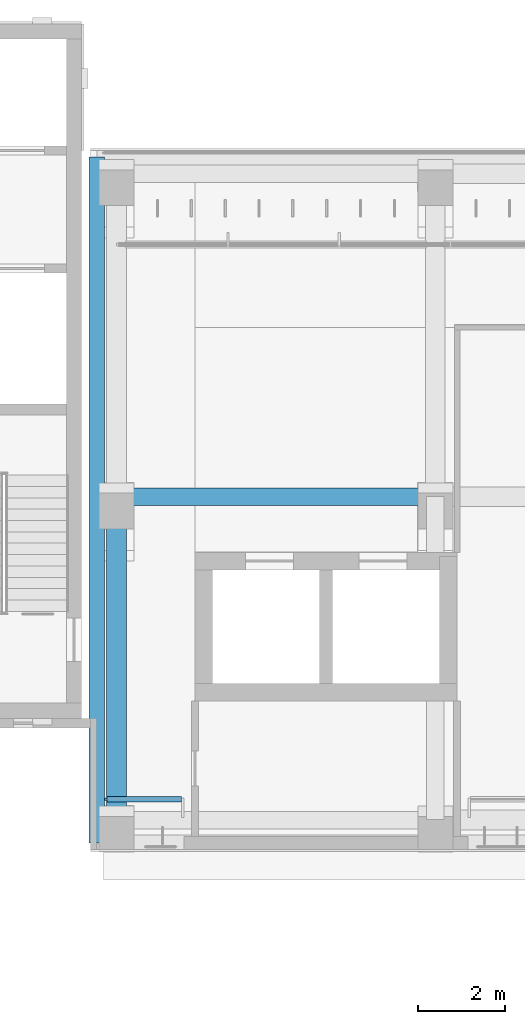
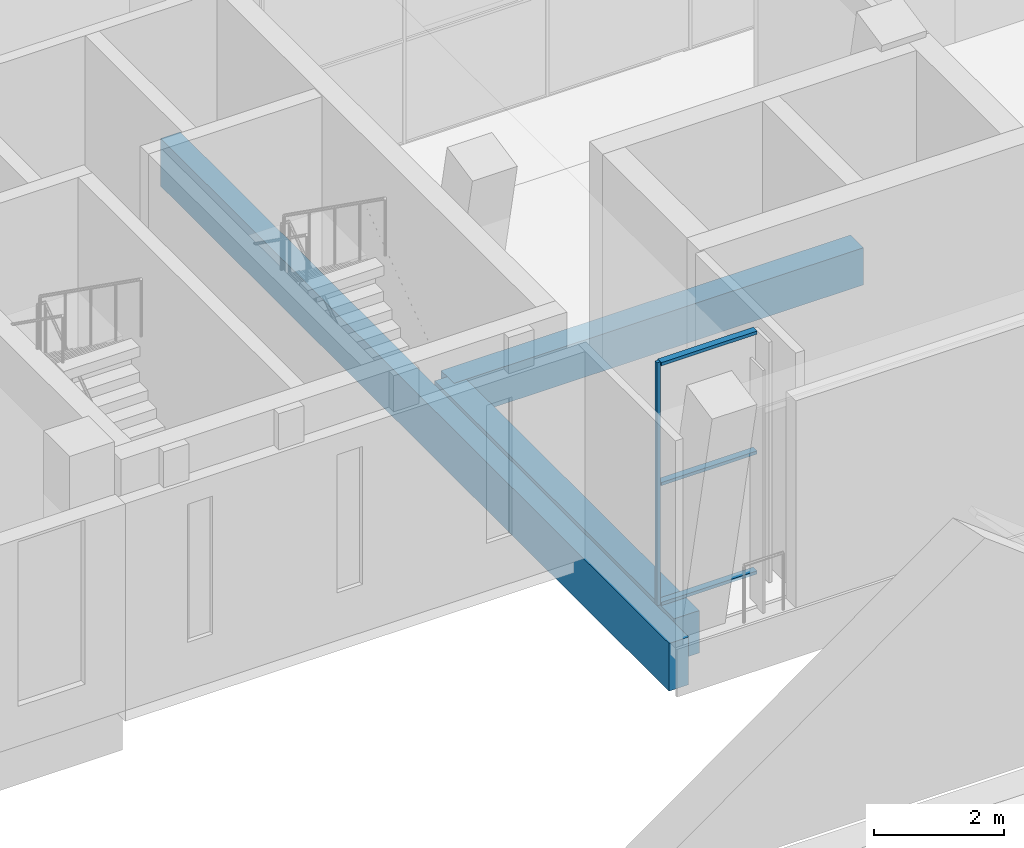
# One storey, part 11 of 89: 4 members, 3 beams, 1 element without a shape of its own.
"""IFC4 building model written with IfcOpenShell, lengths in metres."""

from ifc_helpers import new_model, si_unit, direction, frame, origin, origin_2d, place, context, subcontext, project, spatial, rectangle, extrude, material, material_profile, profile_set, type_object, element, aggregate, save


model = new_model("IFC4")

# Units and contexts
model_context = context("Model", 3, precision=1e-05, world=origin(), true_north=direction((0.0, 1.0)))
body_context = subcontext(model_context, "Body", "Model", "MODEL_VIEW")
ifc_project = project(units=[si_unit("LENGTHUNIT", "METRE"), si_unit("AREAUNIT", "SQUARE_METRE"), si_unit("VOLUMEUNIT", "CUBIC_METRE"), si_unit("PLANEANGLEUNIT", "RADIAN"), si_unit("MASSUNIT", "GRAM", prefix="KILO")], contexts=[model_context])

# Site, building, storey
site_placement = place(None, origin())
site = spatial("IfcSite", under=ifc_project, at=site_placement, CompositionType="ELEMENT")
building_placement = place(site_placement, origin())
building = spatial("IfcBuilding", under=site, at=building_placement, Name="Lantern Court Media Centre", CompositionType="ELEMENT")
storey_placement = place(building_placement, frame((0.0, 0.0, 14.39990234375)))
storey = spatial("IfcBuildingStorey", under=building, at=storey_placement, Name="L03", CompositionType="ELEMENT", Elevation=14.39990234375)

# Curtain wall, members
ifc_material_1 = material(Name="Curtain wall bay 3000")
curtain_wall_type = type_object("IfcCurtainWallType", Name="Curtain wall bay 3000", PredefinedType="NOTDEFINED", material=ifc_material_1)
curtain_wall_placement = place(storey_placement, origin())
curtain_wall = element("IfcCurtainWall", 1, at=curtain_wall_placement, inside=storey, type_object=curtain_wall_type, Name="Curtain wall S outer L03", PredefinedType="NOTDEFINED")
ifc_material_2 = material(Name="Anodised aluminium", Category="aluminium")
ifc_material_profile_1 = material_profile(ifc_material_2, rectangle(XDim=0.06005859375, YDim=0.06005859375, at=origin_2d()), Name="AL 60x60")
ifc_profile_set_1 = profile_set([ifc_material_profile_1], Name="Anodised aluminium")
member_type_1 = type_object("IfcMemberType", Name="Curtain wall mullion 60x60", PredefinedType="MULLION", material=ifc_profile_set_1)
member_1_placement = place(storey_placement, frame((24.449951171875, 46.14990234375, 0.0), z_axis=(0.0, 0.0, 1.0), x_axis=(0.0, 1.0, 0.0)))
member_1 = element("IfcMember", 2, at=member_1_placement, type_object=member_type_1, Name="CW1 mullion 1", PredefinedType="MULLION", context=body_context, shape_type="SweptSolid", body=[
    extrude(rectangle(XDim=0.06005859375, YDim=0.06005859375, at=origin_2d()), origin(), (0.0, 0.0, 1.0), 4.580078125),
])
ifc_material_profile_2 = material_profile(ifc_material_2, rectangle(XDim=0.1201171875, YDim=0.06005859375, at=origin_2d()), Name="AL 60x120")
ifc_profile_set_2 = profile_set([ifc_material_profile_2], Name="Anodised aluminium")
member_type_2 = type_object("IfcMemberType", Name="Curtain wall transom 60x120", PredefinedType="USERDEFINED", material=ifc_profile_set_2)
member_2_placement = place(storey_placement, frame((24.47998046875, 46.14990234375, 0.030029296875), z_axis=(1.0, 0.0, 0.0), x_axis=(0.0, 1.0, 0.0)))
member_2 = element("IfcMember", 3, at=member_2_placement, type_object=member_type_2, Name="CW1 transom 1.1", ObjectType="TRANSOM", PredefinedType="USERDEFINED", context=body_context, shape_type="SweptSolid", body=[
    extrude(rectangle(XDim=0.1201171875, YDim=0.06005859375, at=origin_2d()), origin(), (0.0, 0.0, 1.0), 1.7099609375),
])
member_3_placement = place(storey_placement, frame((24.47998046875, 46.14990234375, 2.2900390625), z_axis=(1.0, 0.0, 0.0), x_axis=(0.0, 1.0, 0.0)))
member_3 = element("IfcMember", 4, at=member_3_placement, type_object=member_type_2, Name="CW1 transom 1.2", ObjectType="TRANSOM", PredefinedType="USERDEFINED", context=body_context, shape_type="SweptSolid", body=[
    extrude(rectangle(XDim=0.1201171875, YDim=0.06005859375, at=origin_2d()), origin(), (0.0, 0.0, 1.0), 1.7099609375),
])
member_4_placement = place(storey_placement, frame((24.47998046875, 46.14990234375, 4.550048828125), z_axis=(1.0, 0.0, 0.0), x_axis=(0.0, 1.0, 0.0)))
member_4 = element("IfcMember", 5, at=member_4_placement, type_object=member_type_2, Name="CW1 transom 1.3", ObjectType="TRANSOM", PredefinedType="USERDEFINED", context=body_context, shape_type="SweptSolid", body=[
    extrude(rectangle(XDim=0.1201171875, YDim=0.06005859375, at=origin_2d()), origin(), (0.0, 0.0, 1.0), 1.7099609375),
])
aggregate(curtain_wall, [member_1, member_2, member_3, member_4])

# Beams
ifc_material_3 = material(Name="Concrete C35", Category="concrete")
ifc_material_profile_3 = material_profile(ifc_material_3, rectangle(XDim=0.35009765625, YDim=0.89990234375, at=origin_2d()), Name="RC 350x900")
ifc_profile_set_3 = profile_set([ifc_material_profile_3], Name="Concrete C35")
beam_type_1 = type_object("IfcBeamType", Name="RC BEAM 350x900", PredefinedType="BEAM", material=ifc_profile_set_3)
beam_1_placement = place(storey_placement, frame((24.25, 45.14990234375, -0.449951171875), z_axis=(0.0, 1.0, 0.0), x_axis=(-1.0, 0.0, 0.0)))
element("IfcBeam", 6, at=beam_1_placement, inside=storey, type_object=beam_type_1, Name="EB-S-L03-C", PredefinedType="BEAM", context=body_context, shape_type="SweptSolid", body=[
    extrude(rectangle(XDim=0.35009765625, YDim=0.89990234375, at=origin_2d()), origin(), (0.0, 0.0, 1.0), 15.7001953125),
])
ifc_material_profile_4 = material_profile(ifc_material_3, rectangle(XDim=0.39990234375, YDim=0.699951171875, at=origin_2d()), Name="RC 400x700")
ifc_profile_set_4 = profile_set([ifc_material_profile_4], Name="Concrete C35")
beam_type_2 = type_object("IfcBeamType", Name="RC BEAM 400x700", PredefinedType="BEAM", material=ifc_profile_set_4)
beam_2_placement = place(storey_placement, frame((24.699951171875, 53.072998046875, -0.349853515625), z_axis=(1.0, 0.0, 0.0), x_axis=(0.0, 1.0, 0.0)))
element("IfcBeam", 7, at=beam_2_placement, inside=storey, type_object=beam_type_2, Name="LB-S-L03-1-0", PredefinedType="BEAM", context=body_context, shape_type="SweptSolid", body=[
    extrude(rectangle(XDim=0.39990234375, YDim=0.699951171875, at=origin_2d()), origin(), (0.0, 0.0, 1.0), 7.300048828125),
])
ifc_material_profile_5 = material_profile(ifc_material_3, rectangle(XDim=0.449951171875, YDim=0.800048828125, at=origin_2d()), Name="RC 450x800")
ifc_profile_set_5 = profile_set([ifc_material_profile_5], Name="Concrete C35")
beam_type_3 = type_object("IfcBeamType", Name="RC BEAM 450x800", PredefinedType="BEAM", material=ifc_profile_set_5)
beam_3_placement = place(storey_placement, frame((24.699951171875, 45.683349609375, -0.39990234375), z_axis=(0.0, 1.0, 0.0), x_axis=(-1.0, 0.0, 0.0)))
element("IfcBeam", 8, at=beam_3_placement, inside=storey, type_object=beam_type_3, Name="TB-S-L03-0-1", PredefinedType="BEAM", context=body_context, shape_type="SweptSolid", body=[
    extrude(rectangle(XDim=0.449951171875, YDim=0.800048828125, at=origin_2d()), origin(), (0.0, 0.0, 1.0), 7.39990234375),
])

save(model, "model.ifc")
